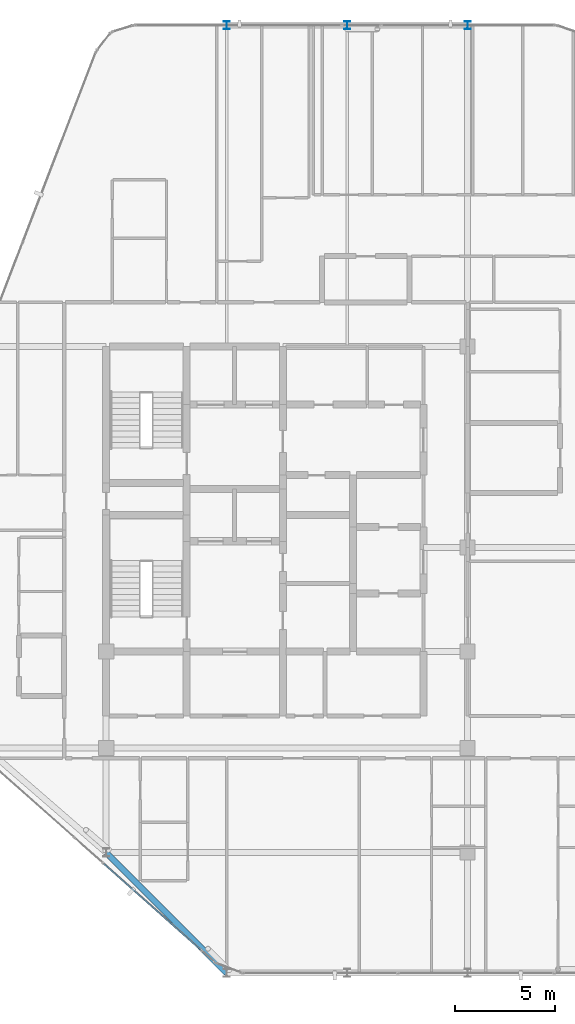
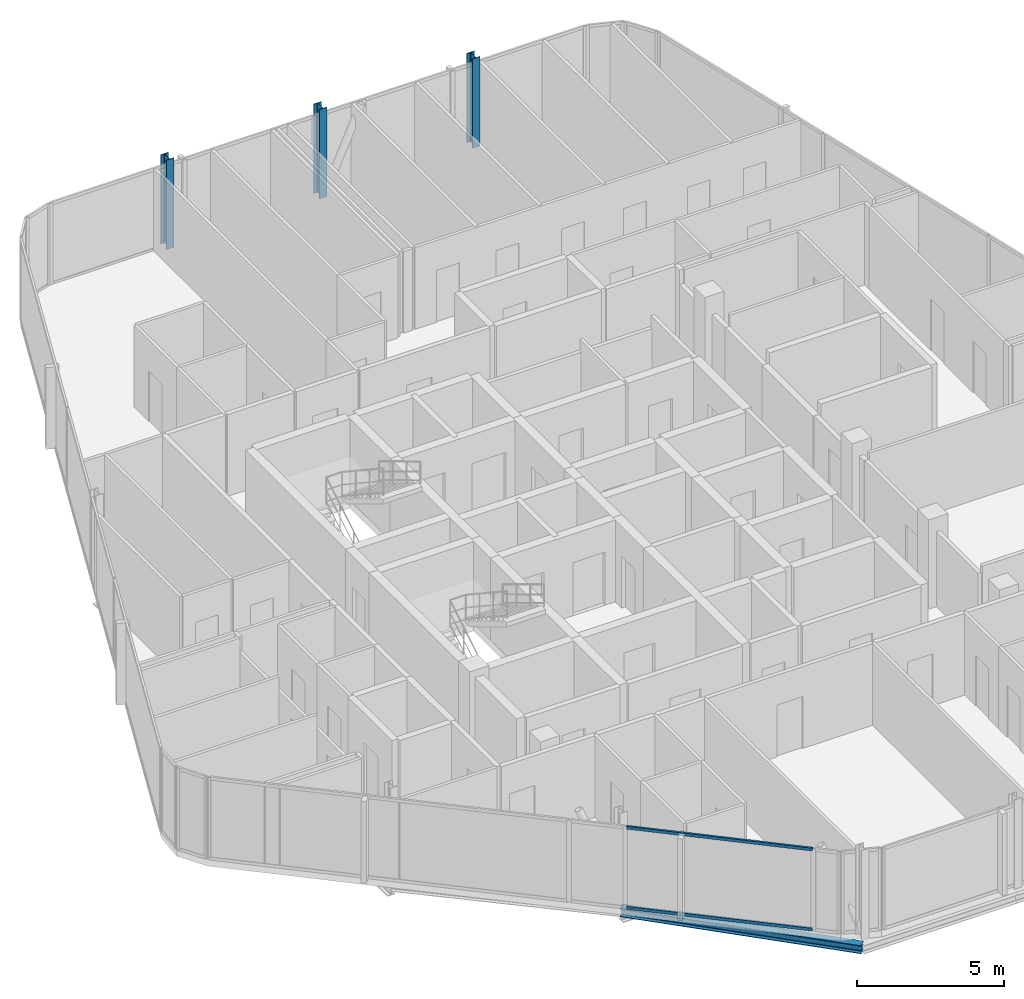
# One storey, part 2 of 30: 3 columns, 2 members, 1 beam, 1 element without a shape of its own.
"""IFC4 building model written with IfcOpenShell, lengths in metres."""

from ifc_helpers import new_model, si_unit, direction, frame, origin, origin_2d, place, context, subcontext, project, spatial, hollow_rectangle, i_section, extrude, material, layer, layer_set, material_profile, profile_set, type_object, element, aggregate, save


model = new_model("IFC4")

# Units and contexts
model_context = context("Model", 3, precision=1e-05, world=origin(), true_north=direction((0.0, 1.0)))
body_context = subcontext(model_context, "Body", "Model", "MODEL_VIEW")
ifc_project = project(units=[si_unit("LENGTHUNIT", "METRE"), si_unit("AREAUNIT", "SQUARE_METRE"), si_unit("VOLUMEUNIT", "CUBIC_METRE"), si_unit("PLANEANGLEUNIT", "RADIAN"), si_unit("MASSUNIT", "GRAM", prefix="KILO")], contexts=[model_context])

# Site, building, storey
site_placement = place(None, origin())
site = spatial("IfcSite", under=ifc_project, at=site_placement, CompositionType="ELEMENT")
building_placement = place(site_placement, origin())
building = spatial("IfcBuilding", under=site, at=building_placement, Name="Keshet Zoharim Tower", CompositionType="ELEMENT")
storey_placement = place(building_placement, frame((0.0, 0.0, 280.60009765625)))
storey = spatial("IfcBuildingStorey", under=building, at=storey_placement, Name="L70", CompositionType="ELEMENT", Elevation=280.60009765625)

# Columns
ifc_material_1 = material(Name="Steel S355", Category="steel")
ifc_material_profile_1 = material_profile(ifc_material_1, i_section(OverallWidth=0.300048828125, OverallDepth=0.39990234375, WebThickness=0.013427734375, FlangeThickness=0.02392578125, FilletRadius=0.027099609375, at=origin_2d()), Name="HEB400")
ifc_profile_set_1 = profile_set([ifc_material_profile_1], Name="Steel S355")
column_type = type_object("IfcColumnType", Name="COL-HEB400", PredefinedType="COLUMN", material=ifc_profile_set_1)
for number, where, z_axis, x_axis, name in (
    (1, (21.0, 53.89990234375, 0.0), (0.0, 0.0, 1.0), (1.0, 0.0, 0.0), "L70 Column 4L"),
    (2, (27.0, 53.89990234375, 0.0), (0.0, 0.0, 1.0), (1.0, 0.0, 0.0), "L70 Column 5L"),
    (3, (33.0, 53.89990234375, 0.0), (0.0, 0.0, 1.0), (1.0, 0.0, 0.0), "L70 Column 6L"),
):
    element("IfcColumn", number, at=place(storey_placement, frame(where, z_axis=z_axis, x_axis=x_axis)), inside=storey, type_object=column_type, Name=name, PredefinedType="COLUMN", context=body_context, shape_type="SweptSolid", body=[
        extrude(i_section(OverallWidth=0.300048828125, OverallDepth=0.39990234375, WebThickness=0.013427734375, FlangeThickness=0.02392578125, FilletRadius=0.027099609375, at=origin_2d()), origin(), (0.0, 0.0, 1.0), 3.699951171875),
    ])

# Beam
ifc_material_profile_2 = material_profile(ifc_material_1, i_section(OverallWidth=0.300048828125, OverallDepth=0.340087890625, WebThickness=0.011962890625, FlangeThickness=0.021484375, FilletRadius=0.027099609375, at=origin_2d()), Name="HEB340")
ifc_profile_set_2 = profile_set([ifc_material_profile_2], Name="Steel S355")
beam_type = type_object("IfcBeamType", Name="BM-SPN-HB340", PredefinedType="SPANDREL", material=ifc_profile_set_2)
beam_placement = place(storey_placement, frame((21.0, 6.699951171875, -0.47998046875), z_axis=(-0.707106781187, 0.707106781187, 0.0), x_axis=(-0.707106781187, -0.707106781187, 0.0)))
element("IfcBeam", 4, at=beam_placement, inside=storey, type_object=beam_type, Name="L70 Perimeter Spandrel Beam 01", PredefinedType="SPANDREL", context=body_context, shape_type="SweptSolid", body=[
    extrude(i_section(OverallWidth=0.300048828125, OverallDepth=0.340087890625, WebThickness=0.011962890625, FlangeThickness=0.021484375, FilletRadius=0.027099609375, at=origin_2d()), origin(), (0.0, 0.0, 1.0), 8.4853515625),
])

# Curtain wall, members
ifc_material_2 = material(Name="Aluminium 6063-T6", Category="aluminium")
ifc_layer = layer(ifc_material_2, 0.260009765625)
ifc_layer_set = layer_set([ifc_layer], Name="Aluminium 6063-T6")
curtain_wall_type = type_object("IfcCurtainWallType", Name="CW-SYS-06", PredefinedType="NOTDEFINED", material=ifc_layer_set)
curtain_wall_placement = place(storey_placement, origin())
curtain_wall = element("IfcCurtainWall", 5, at=curtain_wall_placement, inside=storey, type_object=curtain_wall_type, Name="L70 Unitised Curtain Wall 16 Part 2", PredefinedType="NOTDEFINED")
ifc_material_profile_3 = material_profile(ifc_material_2, hollow_rectangle(XDim=0.074951171875, YDim=0.1201171875, WallThickness=0.00390625, at=origin_2d()), Name="TRN-75x120")
ifc_profile_set_3 = profile_set([ifc_material_profile_3], Name="Aluminium 6063-T6")
member_type = type_object("IfcMemberType", Name="CWT-T12", PredefinedType="USERDEFINED", material=ifc_profile_set_3)
member_1_placement = place(storey_placement, frame((19.71240234375, 7.8447265625, 0.034912109375), z_axis=(-0.74742601709, 0.664345052647, 0.0), x_axis=(-0.664345052647, -0.74742601709, 0.0)))
member_1 = element("IfcMember", 6, at=member_1_placement, type_object=member_type, Name="CW-06 transom 1.1", ObjectType="TRANSOM", PredefinedType="USERDEFINED", context=body_context, shape_type="SweptSolid", body=[
    extrude(hollow_rectangle(XDim=0.074951171875, YDim=0.1201171875, WallThickness=0.00390625, at=origin_2d()), origin(), (0.0, 0.0, 1.0), 6.453125),
])
member_2_placement = place(storey_placement, frame((19.71240234375, 7.8447265625, 3.35498046875), z_axis=(-0.74742601709, 0.664345052647, 0.0), x_axis=(-0.664345052647, -0.74742601709, 0.0)))
member_2 = element("IfcMember", 7, at=member_2_placement, type_object=member_type, Name="CW-06 transom 1.2", ObjectType="TRANSOM", PredefinedType="USERDEFINED", context=body_context, shape_type="SweptSolid", body=[
    extrude(hollow_rectangle(XDim=0.074951171875, YDim=0.1201171875, WallThickness=0.00390625, at=origin_2d()), origin(), (0.0, 0.0, 1.0), 6.453125),
])
aggregate(curtain_wall, [member_1, member_2])

save(model, "model.ifc")
